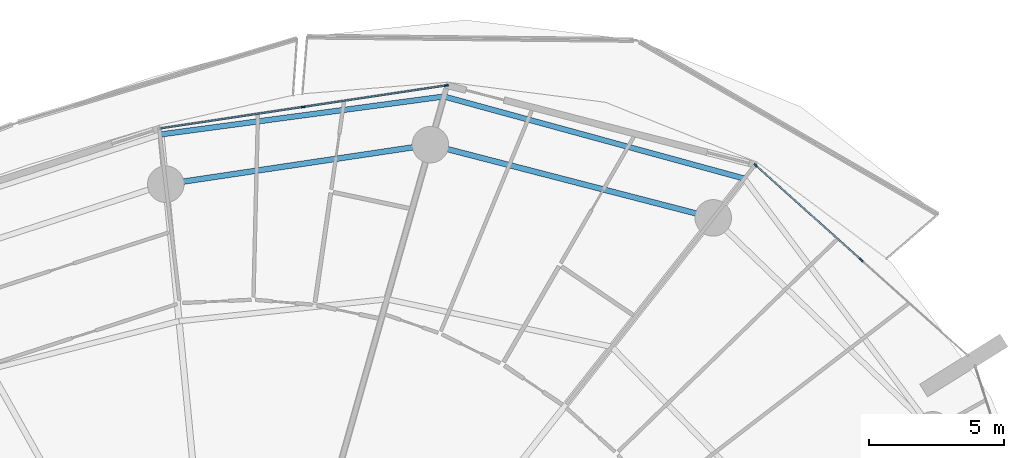
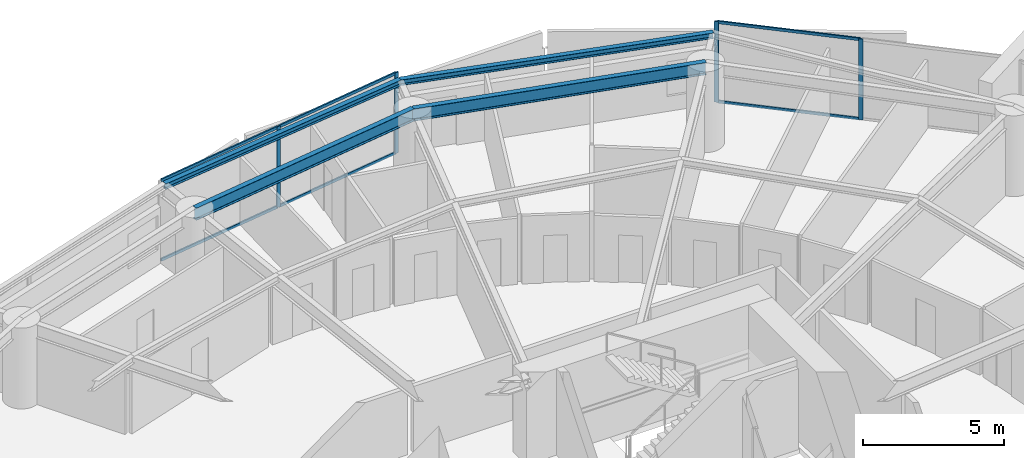
# One storey, part 16 of 31: 10 members, 4 beams, 2 elements without a shape of their own.
"""IFC4 building model written with IfcOpenShell, lengths in metres."""

from ifc_helpers import new_model, si_unit, direction, frame, origin, origin_2d, place, context, subcontext, project, spatial, rectangle, i_section, extrude, material, layer, layer_set, material_profile, profile_set, type_object, element, aggregate, save


model = new_model("IFC4")

# Units and contexts
model_context = context("Model", 3, precision=1e-05, world=origin(), true_north=direction((0.0, 1.0)))
body_context = subcontext(model_context, "Body", "Model", "MODEL_VIEW")
ifc_project = project(units=[si_unit("LENGTHUNIT", "METRE"), si_unit("AREAUNIT", "SQUARE_METRE"), si_unit("VOLUMEUNIT", "CUBIC_METRE"), si_unit("PLANEANGLEUNIT", "RADIAN"), si_unit("MASSUNIT", "GRAM", prefix="KILO")], contexts=[model_context])

# Site, building, storey
site_placement = place(None, origin())
site = spatial("IfcSite", under=ifc_project, at=site_placement, CompositionType="ELEMENT")
building_placement = place(site_placement, origin())
building = spatial("IfcBuilding", under=site, at=building_placement, Name="Kazma Halo Residences", CompositionType="ELEMENT")
storey_placement = place(building_placement, frame((0.0, 0.0, 41.39990234375)))
storey = spatial("IfcBuildingStorey", under=building, at=storey_placement, Name="L09", CompositionType="ELEMENT", Elevation=41.39990234375)

# Beams
ifc_material_1 = material(Name="Steel S355", Category="steel")
ifc_material_profile_1 = material_profile(ifc_material_1, i_section(OverallWidth=0.201904296875, OverallDepth=0.2470703125, WebThickness=0.00732421875, FlangeThickness=0.010986328125, FilletRadius=0.011962890625, at=origin_2d()), Name="W250x49.1")
ifc_profile_set_1 = profile_set([ifc_material_profile_1], Name="Steel S355")
beam_type_1 = type_object("IfcBeamType", Name="BM-BAL-CANT", PredefinedType="BEAM", material=ifc_profile_set_1)
beam_1_placement = place(storey_placement, frame((66.603515625, 65.598388671875, 3.376708984375), z_axis=(-0.964628474934, 0.263613173697, 0.0), x_axis=(-0.263613173697, -0.964628474934, 0.0)))
element("IfcBeam", 1, at=beam_1_placement, inside=storey, type_object=beam_type_1, Name="L09 wave-balcony tie beam 02", PredefinedType="BEAM", context=body_context, shape_type="SweptSolid", body=[
    extrude(i_section(OverallWidth=0.201904296875, OverallDepth=0.2470703125, WebThickness=0.00732421875, FlangeThickness=0.010986328125, FilletRadius=0.011962890625, at=origin_2d()), origin(), (0.0, 0.0, 1.0), 11.499755859375),
])
beam_2_placement = place(storey_placement, frame((55.510498046875, 68.6298828125, 3.376708984375), z_axis=(-0.991168183526, -0.13261082899, 0.0), x_axis=(0.13261082899, -0.991168183526, 0.0)))
element("IfcBeam", 2, at=beam_2_placement, inside=storey, type_object=beam_type_1, Name="L09 wave-balcony tie beam 03", PredefinedType="BEAM", context=body_context, shape_type="SweptSolid", body=[
    extrude(i_section(OverallWidth=0.201904296875, OverallDepth=0.2470703125, WebThickness=0.00732421875, FlangeThickness=0.010986328125, FilletRadius=0.011962890625, at=origin_2d()), origin(), (0.0, 0.0, 1.0), 10.551025390625),
])
ifc_material_profile_2 = material_profile(ifc_material_1, i_section(OverallWidth=0.208984375, OverallDepth=0.532958984375, WebThickness=0.01025390625, FlangeThickness=0.015625, FilletRadius=0.01611328125, at=origin_2d()), Name="W530x92")
ifc_profile_set_2 = profile_set([ifc_material_profile_2], Name="Steel S355")
beam_type_2 = type_object("IfcBeamType", Name="BM-SPN-W530", PredefinedType="BEAM", material=ifc_profile_set_2)
beam_3_placement = place(storey_placement, frame((65.458251953125, 64.145751953125, 3.233642578125), z_axis=(-0.968123558238, 0.250473104313, 0.0), x_axis=(-0.250473104313, -0.968123558238, 0.0)))
element("IfcBeam", 3, at=beam_3_placement, inside=storey, type_object=beam_type_2, Name="L09 perimeter ring beam 02", PredefinedType="BEAM", context=body_context, shape_type="SweptSolid", body=[
    extrude(i_section(OverallWidth=0.208984375, OverallDepth=0.532958984375, WebThickness=0.01025390625, FlangeThickness=0.015625, FilletRadius=0.01611328125, at=origin_2d()), origin(), (0.0, 0.0, 1.0), 10.7939453125),
])
beam_4_placement = place(storey_placement, frame((55.00830078125, 66.849365234375, 3.233642578125), z_axis=(-0.989033061974, -0.147694286693, 0.0), x_axis=(0.147694286693, -0.989033061974, 0.0)))
element("IfcBeam", 4, at=beam_4_placement, inside=storey, type_object=beam_type_2, Name="L09 perimeter ring beam 03", PredefinedType="BEAM", context=body_context, shape_type="SweptSolid", body=[
    extrude(i_section(OverallWidth=0.208984375, OverallDepth=0.532958984375, WebThickness=0.01025390625, FlangeThickness=0.015625, FilletRadius=0.01611328125, at=origin_2d()), origin(), (0.0, 0.0, 1.0), 9.885009765625),
])

# Curtain wall, members
ifc_material_2 = material(Name="Aluminium AW-6063 T6 and Triple-Silver Low-E Glass", Category="aluminium")
ifc_layer = layer(ifc_material_2, 0.159912109375)
ifc_layer_set = layer_set([ifc_layer], Name="Aluminium AW-6063 T6 and Triple-Silver Low-E Glass")
curtain_wall_type = type_object("IfcCurtainWallType", Name="CW-SYS-2", PredefinedType="NOTDEFINED", material=ifc_layer_set)
curtain_wall_1_placement = place(storey_placement, origin())
curtain_wall_1 = element("IfcCurtainWall", 5, at=curtain_wall_1_placement, inside=storey, type_object=curtain_wall_type, Name="L09 unitised curtain wall B01", PredefinedType="NOTDEFINED")
ifc_material_3 = material(Name="Aluminium AW-6063 T6", Category="aluminium")
ifc_material_profile_3 = material_profile(ifc_material_3, rectangle(XDim=0.06005859375, YDim=0.159912109375, at=origin_2d()), Name="CWM-60x160")
ifc_profile_set_3 = profile_set([ifc_material_profile_3], Name="Aluminium AW-6063 T6")
member_type_1 = type_object("IfcMemberType", Name="CW-SYS-2-MUL", PredefinedType="MULLION", material=ifc_profile_set_3)
member_1_placement = place(storey_placement, frame((70.92724609375, 62.590087890625, 0.0), z_axis=(0.0, 0.0, 1.0), x_axis=(-0.667821453854, -0.744321506993, 0.0)))
member_1 = element("IfcMember", 6, at=member_1_placement, type_object=member_type_1, Name="CWS-2 mullion 2", PredefinedType="MULLION", context=body_context, shape_type="SweptSolid", body=[
    extrude(rectangle(XDim=0.06005859375, YDim=0.159912109375, at=origin_2d()), origin(), (0.0, 0.0, 1.0), 3.5),
])
member_2_placement = place(storey_placement, frame((67.028076171875, 66.088623046875, 0.0), z_axis=(0.0, 0.0, 1.0), x_axis=(-0.667821453854, -0.744321506993, 0.0)))
member_2 = element("IfcMember", 7, at=member_2_placement, type_object=member_type_1, Name="CWS-2 mullion 3", PredefinedType="MULLION", context=body_context, shape_type="SweptSolid", body=[
    extrude(rectangle(XDim=0.06005859375, YDim=0.159912109375, at=origin_2d()), origin(), (0.0, 0.0, 1.0), 3.5),
])

curtain_wall_2_placement = place(storey_placement, origin())
curtain_wall_2 = element("IfcCurtainWall", 8, at=curtain_wall_2_placement, inside=storey, type_object=curtain_wall_type, Name="L09 unitised curtain wall B03", PredefinedType="NOTDEFINED")
member_3_placement = place(storey_placement, frame((55.596923828125, 69.037841796875, 0.0), z_axis=(0.0, 0.0, 1.0), x_axis=(0.148657272805, -0.988888777994, 0.0)))
member_3 = element("IfcMember", 9, at=member_3_placement, type_object=member_type_1, Name="CWS-2 mullion 1", PredefinedType="MULLION", context=body_context, shape_type="SweptSolid", body=[
    extrude(rectangle(XDim=0.06005859375, YDim=0.159912109375, at=origin_2d()), origin(), (0.0, 0.0, 1.0), 3.5),
])
member_4_placement = place(storey_placement, frame((50.3076171875, 68.24267578125, 0.0), z_axis=(0.0, 0.0, 1.0), x_axis=(0.148657272805, -0.988888777994, 0.0)))
member_4 = element("IfcMember", 10, at=member_4_placement, type_object=member_type_1, Name="CWS-2 mullion 2", PredefinedType="MULLION", context=body_context, shape_type="SweptSolid", body=[
    extrude(rectangle(XDim=0.06005859375, YDim=0.159912109375, at=origin_2d()), origin(), (0.0, 0.0, 1.0), 3.5),
])

# Member
ifc_material_profile_4 = material_profile(ifc_material_3, rectangle(XDim=0.06005859375, YDim=0.1201171875, at=origin_2d()), Name="CWT-60x120")
ifc_profile_set_4 = profile_set([ifc_material_profile_4], Name="Aluminium AW-6063 T6")
member_type_2 = type_object("IfcMemberType", Name="CW-SYS-2-TRN", PredefinedType="USERDEFINED", material=ifc_profile_set_4)
member_5_placement = place(storey_placement, frame((70.905029296875, 62.6103515625, 0.030029296875), z_axis=(-0.744329408538, 0.66781264707, 0.0), x_axis=(-0.66781264707, -0.744329408538, 0.0)))
member_5 = element("IfcMember", 11, at=member_5_placement, type_object=member_type_2, Name="CWS-2 transom 2.1", ObjectType="TRANSOM", PredefinedType="USERDEFINED", context=body_context, shape_type="SweptSolid", body=[
    extrude(rectangle(XDim=0.06005859375, YDim=0.1201171875, at=origin_2d()), origin(), (0.0, 0.0, 1.0), 5.178466796875),
])

member_6_placement = place(storey_placement, frame((70.905029296875, 62.6103515625, 3.47021484375), z_axis=(-0.744329408538, 0.66781264707, 0.0), x_axis=(-0.66781264707, -0.744329408538, 0.0)))
member_6 = element("IfcMember", 12, at=member_6_placement, type_object=member_type_2, Name="CWS-2 transom 2.2", ObjectType="TRANSOM", PredefinedType="USERDEFINED", context=body_context, shape_type="SweptSolid", body=[
    extrude(rectangle(XDim=0.06005859375, YDim=0.1201171875, at=origin_2d()), origin(), (0.0, 0.0, 1.0), 5.178466796875),
])

aggregate(curtain_wall_1, [member_1, member_2, member_5, member_6])

member_7_placement = place(storey_placement, frame((55.5673828125, 69.033203125, 0.030029296875), z_axis=(-0.988890934274, -0.148642928222, 0.0), x_axis=(0.148642928222, -0.988890934274, 0.0)))
member_7 = element("IfcMember", 13, at=member_7_placement, type_object=member_type_2, Name="CWS-2 transom 1.1", ObjectType="TRANSOM", PredefinedType="USERDEFINED", context=body_context, shape_type="SweptSolid", body=[
    extrude(rectangle(XDim=0.06005859375, YDim=0.1201171875, at=origin_2d()), origin(), (0.0, 0.0, 1.0), 5.288818359375),
])

member_8_placement = place(storey_placement, frame((55.5673828125, 69.033203125, 3.47021484375), z_axis=(-0.988890934274, -0.148642928222, 0.0), x_axis=(0.148642928222, -0.988890934274, 0.0)))
member_8 = element("IfcMember", 14, at=member_8_placement, type_object=member_type_2, Name="CWS-2 transom 1.2", ObjectType="TRANSOM", PredefinedType="USERDEFINED", context=body_context, shape_type="SweptSolid", body=[
    extrude(rectangle(XDim=0.06005859375, YDim=0.1201171875, at=origin_2d()), origin(), (0.0, 0.0, 1.0), 5.288818359375),
])

member_9_placement = place(storey_placement, frame((50.278076171875, 68.238037109375, 0.030029296875), z_axis=(-0.98889195415, -0.148636143041, 0.0), x_axis=(0.148636143041, -0.98889195415, 0.0)))
member_9 = element("IfcMember", 15, at=member_9_placement, type_object=member_type_2, Name="CWS-2 transom 2.1", ObjectType="TRANSOM", PredefinedType="USERDEFINED", context=body_context, shape_type="SweptSolid", body=[
    extrude(rectangle(XDim=0.06005859375, YDim=0.1201171875, at=origin_2d()), origin(), (0.0, 0.0, 1.0), 5.2890625),
])

member_10_placement = place(storey_placement, frame((50.278076171875, 68.238037109375, 3.47021484375), z_axis=(-0.98889195415, -0.148636143041, 0.0), x_axis=(0.148636143041, -0.98889195415, 0.0)))
member_10 = element("IfcMember", 16, at=member_10_placement, type_object=member_type_2, Name="CWS-2 transom 2.2", ObjectType="TRANSOM", PredefinedType="USERDEFINED", context=body_context, shape_type="SweptSolid", body=[
    extrude(rectangle(XDim=0.06005859375, YDim=0.1201171875, at=origin_2d()), origin(), (0.0, 0.0, 1.0), 5.2890625),
])

aggregate(curtain_wall_2, [member_3, member_4, member_7, member_8, member_9, member_10])

save(model, "model.ifc")
